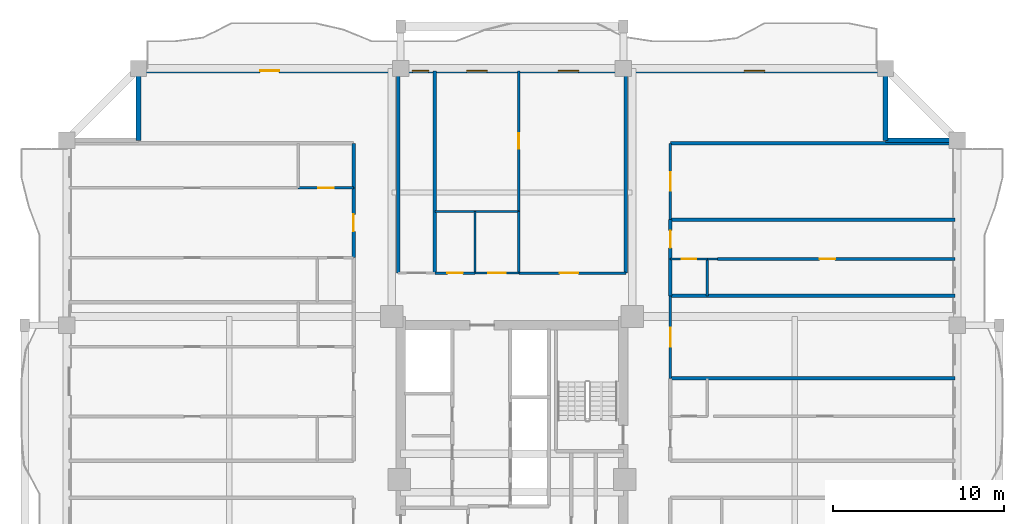
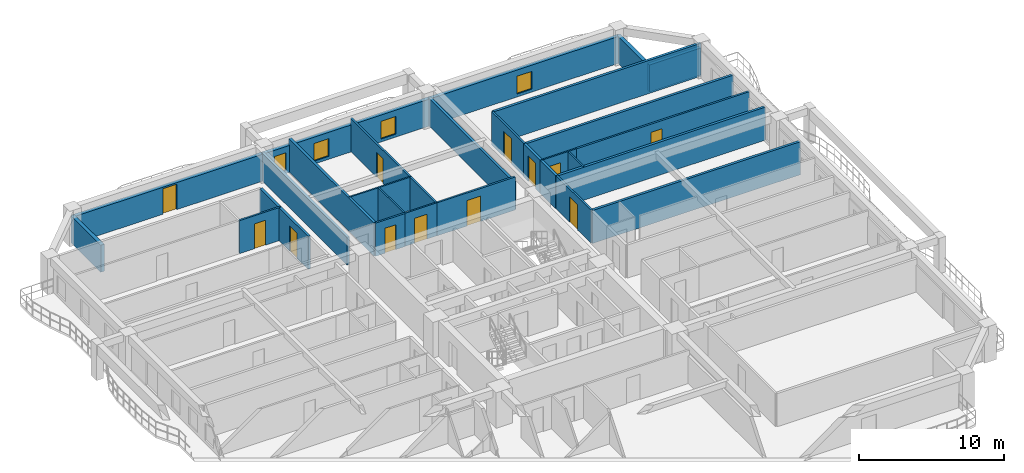
# One storey, part 7 of 13: 29 walls, 12 doors, 4 windows, 16 openings.
"""IFC4 building model written with IfcOpenShell, lengths in metres."""

from ifc_helpers import new_model, si_unit, direction, frame, frame_2d, origin, place, context, subcontext, project, spatial, rectangle, extrude, source, transform, mapped, material, layer, layer_set, type_object, element, fill, save


model = new_model("IFC4")

# Units and contexts
model_context = context("Model", 3, precision=1e-05, world=origin(), true_north=direction((0.0, 1.0)))
body_context = subcontext(model_context, "Body", "Model", "MODEL_VIEW")
ifc_project = project(units=[si_unit("LENGTHUNIT", "METRE"), si_unit("AREAUNIT", "SQUARE_METRE"), si_unit("VOLUMEUNIT", "CUBIC_METRE"), si_unit("PLANEANGLEUNIT", "RADIAN"), si_unit("MASSUNIT", "GRAM", prefix="KILO")], contexts=[model_context])

# Site, building, storey
site_placement = place(None, origin())
site = spatial("IfcSite", under=ifc_project, at=site_placement, CompositionType="ELEMENT")
building_placement = place(site_placement, origin())
building = spatial("IfcBuilding", under=site, at=building_placement, Name="Saelheon Loggia Tower", CompositionType="ELEMENT")
storey_placement = place(building_placement, frame((0.0, 0.0, 132.75)))
storey = spatial("IfcBuildingStorey", under=building, at=storey_placement, Name="L42", CompositionType="ELEMENT", Elevation=132.75)

# Wall, openings, windows, door
ifc_material_1 = material(Name="Architectural Precast Concrete C40/50", Category="concrete")
ifc_layer_1 = layer(ifc_material_1, 0.280029296875)
ifc_layer_set_1 = layer_set([ifc_layer_1], Name="Architectural Precast Concrete C40/50")
wall_type_1 = type_object("IfcWallType", Name="Wall_Ext_Loggia_280", PredefinedType="SOLIDWALL", material=ifc_layer_set_1)
wall_1_placement = place(storey_placement, frame((16.199951171875, 50.860107421875, 0.0), z_axis=(0.0, 0.0, 1.0), x_axis=(1.0, 0.0, 0.0)))
wall_1 = element("IfcWall", 1, at=wall_1_placement, inside=storey, type_object=wall_type_1, Name="L42 North Loggia Inner Wall", PredefinedType="SOLIDWALL", context=body_context, shape_type="SweptSolid", body=[
    extrude(rectangle(XDim=43.60009765625, YDim=0.280029296875, at=frame_2d((21.800048828125, 0.0))), origin(), (0.0, 0.0, 1.0), 2.280029296875),
])
opening_1_placement = place(wall_1_placement, frame((7.10009765625, 0.0, 0.0)))
opening_1 = element("IfcOpeningElement", 2, at=opening_1_placement, cuts=wall_1, Name="Opening TD1", PredefinedType="OPENING", context=body_context, shape_type="SweptSolid", body=[
    extrude(rectangle(XDim=1.10009765625, YDim=2.14990234375, at=frame_2d((0.550048828125, 1.074951171875))), frame((0.0, 0.152099609375, 0.0), z_axis=(0.0, -1.0, 0.0), x_axis=(1.0, 0.0, 0.0)), (0.0, 0.0, 1.0), 0.303955078125),
])
opening_2_placement = place(wall_1_placement, frame((15.982421875, 0.0, 0.25)))
opening_2 = element("IfcOpeningElement", 3, at=opening_2_placement, cuts=wall_1, Name="Opening WN-04", PredefinedType="OPENING", context=body_context, shape_type="SweptSolid", body=[
    extrude(rectangle(XDim=0.949951171875, YDim=1.5, at=frame_2d((0.47509765625, 0.75))), frame((0.0, 0.152099609375, 0.0), z_axis=(0.0, -1.0, 0.0), x_axis=(1.0, 0.0, 0.0)), (0.0, 0.0, 1.0), 0.303955078125),
])
opening_3_placement = place(wall_1_placement, frame((19.14990234375, 0.0, 0.25)))
opening_3 = element("IfcOpeningElement", 4, at=opening_3_placement, cuts=wall_1, Name="Opening WN-03", PredefinedType="OPENING", context=body_context, shape_type="SweptSolid", body=[
    extrude(rectangle(XDim=1.199951171875, YDim=1.5, at=frame_2d((0.60009765625, 0.75))), frame((0.0, 0.152099609375, 0.0), z_axis=(0.0, -1.0, 0.0), x_axis=(1.0, 0.0, 0.0)), (0.0, 0.0, 1.0), 0.303955078125),
])
opening_4_placement = place(wall_1_placement, frame((24.492431640625, 0.0, 0.25)))
opening_4 = element("IfcOpeningElement", 5, at=opening_4_placement, cuts=wall_1, Name="Opening WN-03", PredefinedType="OPENING", context=body_context, shape_type="SweptSolid", body=[
    extrude(rectangle(XDim=1.199951171875, YDim=1.5, at=frame_2d((0.60009765625, 0.75))), frame((0.0, 0.152099609375, 0.0), z_axis=(0.0, -1.0, 0.0), x_axis=(1.0, 0.0, 0.0)), (0.0, 0.0, 1.0), 0.303955078125),
])
opening_5_placement = place(wall_1_placement, frame((35.35009765625, 0.0, 0.25)))
opening_5 = element("IfcOpeningElement", 6, at=opening_5_placement, cuts=wall_1, Name="Opening WN-03", PredefinedType="OPENING", context=body_context, shape_type="SweptSolid", body=[
    extrude(rectangle(XDim=1.199951171875, YDim=1.5, at=frame_2d((0.60009765625, 0.75))), frame((0.0, 0.152099609375, 0.0), z_axis=(0.0, -1.0, 0.0), x_axis=(1.0, 0.0, 0.0)), (0.0, 0.0, 1.0), 0.303955078125),
])
ifc_material_2 = material(Name="Thermal-Break Aluminium and Triple Low-E Glass", Category="aluminium")
window_type_1 = type_object("IfcWindowType", Name="Win_Bedroom_1200x1500", PartitioningType="SINGLE_PANEL", PredefinedType="WINDOW", material=ifc_material_2)
shared_shape_1 = source(origin(), body_context, "Body", "SweptSolid", [
    extrude(rectangle(XDim=1.199951171875, YDim=1.5, at=frame_2d((0.60009765625, 0.75))), frame((0.0, 0.030029296875, 0.0), z_axis=(0.0, -1.0, 0.0), x_axis=(1.0, 0.0, 0.0)), (0.0, 0.0, 1.0), 0.06005859375),
])
window_1_placement = place(opening_3_placement, origin())
window_1 = element("IfcWindow", 7, at=window_1_placement, inside=storey, type_object=window_type_1, Name="L42 N Dwelling Window 3", OverallHeight=1.5, OverallWidth=1.199951171875, PartitioningType="SINGLE_PANEL", PredefinedType="WINDOW", context=body_context, shape_type="MappedRepresentation", body=[
    mapped(shared_shape_1, transform((0.0, 0.0, 0.0), scale=1.0)),
])
fill(opening_3, window_1)
window_2_placement = place(opening_4_placement, origin())
window_2 = element("IfcWindow", 8, at=window_2_placement, inside=storey, type_object=window_type_1, Name="L42 N Dwelling Window 4", OverallHeight=1.5, OverallWidth=1.199951171875, PartitioningType="SINGLE_PANEL", PredefinedType="WINDOW", context=body_context, shape_type="MappedRepresentation", body=[
    mapped(shared_shape_1, transform((0.0, 0.0, 0.0), scale=1.0)),
])
fill(opening_4, window_2)
window_3_placement = place(opening_5_placement, origin())
window_3 = element("IfcWindow", 9, at=window_3_placement, inside=storey, type_object=window_type_1, Name="L42 N Dwelling Window 5", OverallHeight=1.5, OverallWidth=1.199951171875, PartitioningType="SINGLE_PANEL", PredefinedType="WINDOW", context=body_context, shape_type="MappedRepresentation", body=[
    mapped(shared_shape_1, transform((0.0, 0.0, 0.0), scale=1.0)),
])
fill(opening_5, window_3)
ifc_material_3 = material(Name="Thermal-Break Aluminium Glazed Door", Category="aluminium")
door_type_1 = type_object("IfcDoorType", Name="Door_Terrace_TD1", OperationType="NOTDEFINED", PredefinedType="DOOR", material=ifc_material_3)
shared_shape_2 = source(origin(), body_context, "Body", "SweptSolid", [
    extrude(rectangle(XDim=1.10009765625, YDim=2.14990234375, at=frame_2d((0.550048828125, 1.074951171875))), frame((0.0, 0.02490234375, 0.0), z_axis=(0.0, -1.0, 0.0), x_axis=(1.0, 0.0, 0.0)), (0.0, 0.0, 1.0), 0.050048828125),
])
door_1_placement = place(opening_1_placement, origin())
door_1 = element("IfcDoor", 10, at=door_1_placement, inside=storey, type_object=door_type_1, Name="L42 N Loggia Access Door", OperationType="SINGLE_SWING_LEFT", OverallHeight=2.14990234375, OverallWidth=1.10009765625, PredefinedType="DOOR", context=body_context, shape_type="MappedRepresentation", body=[
    mapped(shared_shape_2, transform((0.0, 0.0, 0.0), scale=1.0)),
])
fill(opening_1, door_1)
window_type_2 = type_object("IfcWindowType", Name="Win_Narrow_950x1500", PartitioningType="SINGLE_PANEL", PredefinedType="WINDOW", material=ifc_material_2)
shared_shape_3 = source(origin(), body_context, "Body", "SweptSolid", [
    extrude(rectangle(XDim=0.949951171875, YDim=1.5, at=frame_2d((0.47509765625, 0.75))), frame((0.0, 0.030029296875, 0.0), z_axis=(0.0, -1.0, 0.0), x_axis=(1.0, 0.0, 0.0)), (0.0, 0.0, 1.0), 0.06005859375),
])
window_4_placement = place(opening_2_placement, origin())
window_4 = element("IfcWindow", 11, at=window_4_placement, inside=storey, type_object=window_type_2, Name="L42 N Dwelling Window 2", OverallHeight=1.5, OverallWidth=0.949951171875, PartitioningType="SINGLE_PANEL", PredefinedType="WINDOW", context=body_context, shape_type="MappedRepresentation", body=[
    mapped(shared_shape_3, transform((0.0, 0.0, 0.0), scale=1.0)),
])
fill(opening_2, window_4)

# Walls
for number, where, z_axis, x_axis, name in (
    (12, (16.199951171875, 46.800048828125, 0.0), (0.0, 0.0, 1.0), (0.0, 1.0, 0.0), "L42 Corner Notch Precast Wall NW1"),
    (13, (59.800048828125, 46.800048828125, 0.0), (0.0, 0.0, 1.0), (0.0, 1.0, 0.0), "L42 Corner Notch Precast Wall NE1"),
    (14, (59.800048828125, 46.800048828125, 0.0), (0.0, 0.0, 1.0), (1.0, 0.0, 0.0), "L42 Corner Notch Precast Wall NE2"),
):
    element("IfcWall", number, at=place(storey_placement, frame(where, z_axis=z_axis, x_axis=x_axis)), inside=storey, type_object=wall_type_1, Name=name, PredefinedType="SOLIDWALL", context=body_context, shape_type="SweptSolid", body=[
        extrude(rectangle(XDim=4.119873046875, YDim=0.280029296875, at=frame_2d((2.06005859375, 0.0))), origin(), (0.0, 0.0, 1.0), 2.280029296875),
    ])
ifc_material_4 = material(Name="Lightweight Autoclaved Aerated Concrete Block and Acoustic Gypsum", Category="concrete")
ifc_layer_2 = layer(ifc_material_4, 0.14990234375)
ifc_layer_set_2 = layer_set([ifc_layer_2], Name="Lightweight Autoclaved Aerated Concrete Block and Acoustic Gypsum")
wall_type_2 = type_object("IfcWallType", Name="Wall_Part_150", PredefinedType="PARTITIONING", material=ifc_layer_set_2)
wall_2_placement = place(storey_placement, frame((38.39990234375, 39.050048828125, 0.0), z_axis=(0.0, 0.0, 1.0), x_axis=(0.0, 1.0, 0.0)))
element("IfcWall", 15, at=wall_2_placement, inside=storey, type_object=wall_type_2, Name="L42 N Partition U06", PredefinedType="PARTITIONING", context=body_context, shape_type="SweptSolid", body=[
    extrude(rectangle(XDim=3.599853515625, YDim=0.14990234375, at=frame_2d((1.7998046875, 0.0))), origin(), (0.0, 0.0, 1.0), 2.7900390625),
])

# Wall, opening, door
wall_3_placement = place(storey_placement, frame((38.39990234375, 42.64990234375, 0.0), z_axis=(0.0, 0.0, 1.0), x_axis=(0.0, 1.0, 0.0)))
wall_3 = element("IfcWall", 16, at=wall_3_placement, inside=storey, type_object=wall_type_2, Name="L42 N Partition U07", PredefinedType="PARTITIONING", context=body_context, shape_type="SweptSolid", body=[
    extrude(rectangle(XDim=8.2001953125, YDim=0.14990234375, at=frame_2d((4.10009765625, 0.0))), origin(), (0.0, 0.0, 1.0), 2.7900390625),
])
opening_6_placement = place(wall_3_placement, frame((3.64990234375, 0.0, 0.0)))
opening_6 = element("IfcOpeningElement", 17, at=opening_6_placement, cuts=wall_3, Name="Opening D-IN2", PredefinedType="OPENING", context=body_context, shape_type="SweptSolid", body=[
    extrude(rectangle(XDim=0.89990234375, YDim=2.10009765625, at=frame_2d((0.449951171875, 1.050048828125))), frame((0.0, 0.0869140625, 0.0), z_axis=(0.0, -1.0, 0.0), x_axis=(1.0, 0.0, 0.0)), (0.0, 0.0, 1.0), 0.173828125),
])
ifc_material_5 = material(Name="Engineered Oak Flush Door", Category="timber")
door_type_2 = type_object("IfcDoorType", Name="Door_Int_900", OperationType="NOTDEFINED", PredefinedType="DOOR", material=ifc_material_5)
shared_shape_4 = source(origin(), body_context, "Body", "SweptSolid", [
    extrude(rectangle(XDim=0.89990234375, YDim=2.10009765625, at=frame_2d((0.449951171875, 1.050048828125))), frame((0.0, 0.02490234375, 0.0), z_axis=(0.0, -1.0, 0.0), x_axis=(1.0, 0.0, 0.0)), (0.0, 0.0, 1.0), 0.050048828125),
])
door_2_placement = place(opening_6_placement, origin())
door_2 = element("IfcDoor", 18, at=door_2_placement, inside=storey, type_object=door_type_2, Name="L42 Reading Alcove Door", OperationType="SINGLE_SWING_LEFT", OverallHeight=2.10009765625, OverallWidth=0.89990234375, PredefinedType="DOOR", context=body_context, shape_type="MappedRepresentation", body=[
    mapped(shared_shape_4, transform((0.0, 0.0, 0.0), scale=1.0)),
])
fill(opening_6, door_2)

wall_4_placement = place(storey_placement, frame((33.5, 39.050048828125, 0.0), z_axis=(0.0, 0.0, 1.0), x_axis=(1.0, 0.0, 0.0)))
wall_4 = element("IfcWall", 19, at=wall_4_placement, inside=storey, type_object=wall_type_2, Name="L42 N Partition V09", PredefinedType="PARTITIONING", context=body_context, shape_type="SweptSolid", body=[
    extrude(rectangle(XDim=2.35009765625, YDim=0.14990234375, at=frame_2d((1.175048828125, 0.0))), origin(), (0.0, 0.0, 1.0), 2.7900390625),
])
opening_7_placement = place(wall_4_placement, frame((0.72509765625, 0.0, 0.0)))
opening_7 = element("IfcOpeningElement", 20, at=opening_7_placement, cuts=wall_4, Name="Opening D-IN2", PredefinedType="OPENING", context=body_context, shape_type="SweptSolid", body=[
    extrude(rectangle(XDim=0.89990234375, YDim=2.10009765625, at=frame_2d((0.449951171875, 1.050048828125))), frame((0.0, 0.0869140625, 0.0), z_axis=(0.0, -1.0, 0.0), x_axis=(1.0, 0.0, 0.0)), (0.0, 0.0, 1.0), 0.173828125),
])
door_3_placement = place(opening_7_placement, origin())
door_3 = element("IfcDoor", 21, at=door_3_placement, inside=storey, type_object=door_type_2, Name="L42 Community Pantry Door", OperationType="SINGLE_SWING_RIGHT", OverallHeight=2.10009765625, OverallWidth=0.89990234375, PredefinedType="DOOR", context=body_context, shape_type="MappedRepresentation", body=[
    mapped(shared_shape_4, transform((0.0, 0.0, 0.0), scale=1.0)),
])
fill(opening_7, door_3)

wall_5_placement = place(storey_placement, frame((38.39990234375, 39.050048828125, 0.0), z_axis=(0.0, 0.0, 1.0), x_axis=(1.0, 0.0, 0.0)))
wall_5 = element("IfcWall", 22, at=wall_5_placement, inside=storey, type_object=wall_type_2, Name="L42 N Partition V11", PredefinedType="PARTITIONING", context=body_context, shape_type="SweptSolid", body=[
    extrude(rectangle(XDim=6.25, YDim=0.14990234375, at=frame_2d((3.125, 0.0))), origin(), (0.0, 0.0, 1.0), 2.7900390625),
])
opening_8_placement = place(wall_5_placement, frame((2.382080078125, 0.0, 0.0)))
opening_8 = element("IfcOpeningElement", 23, at=opening_8_placement, cuts=wall_5, Name="Opening D-FD2", PredefinedType="OPENING", context=body_context, shape_type="SweptSolid", body=[
    extrude(rectangle(XDim=1.10009765625, YDim=2.14990234375, at=frame_2d((0.550048828125, 1.074951171875))), frame((0.0, 0.0869140625, 0.0), z_axis=(0.0, -1.0, 0.0), x_axis=(1.0, 0.0, 0.0)), (0.0, 0.0, 1.0), 0.173828125),
])
ifc_material_6 = material(Name="Galvanised Steel Fire Door", Category="steel")
door_type_3 = type_object("IfcDoorType", Name="Door_Fire_FD60_1100", OperationType="NOTDEFINED", PredefinedType="DOOR", material=ifc_material_6)
door_4_placement = place(opening_8_placement, origin())
door_4 = element("IfcDoor", 24, at=door_4_placement, inside=storey, type_object=door_type_3, Name="L42 Community Reading Library Door A", OperationType="SINGLE_SWING_RIGHT", OverallHeight=2.14990234375, OverallWidth=1.10009765625, PredefinedType="DOOR", context=body_context, shape_type="MappedRepresentation", body=[
    mapped(shared_shape_2, transform((0.0, 0.0, 0.0), scale=1.0)),
])
fill(opening_8, door_4)

wall_6_placement = place(storey_placement, frame((28.75, 44.02001953125, 0.0), z_axis=(0.0, 0.0, 1.0), x_axis=(-1.0, 0.0, 0.0)))
wall_6 = element("IfcWall", 25, at=wall_6_placement, inside=storey, type_object=wall_type_2, Name="L42 WN Partition U22", PredefinedType="PARTITIONING", context=body_context, shape_type="SweptSolid", body=[
    extrude(rectangle(XDim=3.239990234375, YDim=0.14990234375, at=frame_2d((1.6201171875, 0.0))), origin(), (0.0, 0.0, 1.0), 2.7900390625),
])
opening_9_placement = place(wall_6_placement, frame((1.169921875, 0.0, 0.0)))
opening_9 = element("IfcOpeningElement", 26, at=opening_9_placement, cuts=wall_6, Name="Opening D-IN2", PredefinedType="OPENING", context=body_context, shape_type="SweptSolid", body=[
    extrude(rectangle(XDim=0.89990234375, YDim=2.10009765625, at=frame_2d((0.449951171875, 1.050048828125))), frame((0.0, 0.0869140625, 0.0), z_axis=(0.0, -1.0, 0.0), x_axis=(1.0, 0.0, 0.0)), (0.0, 0.0, 1.0), 0.173828125),
])
door_5_placement = place(opening_9_placement, origin())
door_5 = element("IfcDoor", 27, at=door_5_placement, inside=storey, type_object=door_type_2, Name="Unit U06 Dressing Closet Door", OperationType="SINGLE_SWING_LEFT", OverallHeight=2.10009765625, OverallWidth=0.89990234375, PredefinedType="DOOR", context=body_context, shape_type="MappedRepresentation", body=[
    mapped(shared_shape_4, transform((0.0, 0.0, 0.0), scale=1.0)),
])
fill(opening_9, door_5)

wall_7_placement = place(storey_placement, frame((47.25, 32.900390625, 0.0), z_axis=(0.0, 0.0, 1.0), x_axis=(0.0, 1.0, 0.0)))
wall_7 = element("IfcWall", 28, at=wall_7_placement, inside=storey, type_object=wall_type_2, Name="L42 EN Partition V09", PredefinedType="PARTITIONING", context=body_context, shape_type="SweptSolid", body=[
    extrude(rectangle(XDim=4.8203125, YDim=0.14990234375, at=frame_2d((2.41015625, 0.0))), origin(), (0.0, 0.0, 1.0), 2.7900390625),
])
opening_10_placement = place(wall_7_placement, frame((1.860107421875, 0.0, 0.0)))
opening_10 = element("IfcOpeningElement", 29, at=opening_10_placement, cuts=wall_7, Name="Opening D-FD2", PredefinedType="OPENING", context=body_context, shape_type="SweptSolid", body=[
    extrude(rectangle(XDim=1.10009765625, YDim=2.14990234375, at=frame_2d((0.550048828125, 1.074951171875))), frame((0.0, 0.0869140625, 0.0), z_axis=(0.0, -1.0, 0.0), x_axis=(1.0, 0.0, 0.0)), (0.0, 0.0, 1.0), 0.173828125),
])
door_6_placement = place(opening_10_placement, origin())
door_6 = element("IfcDoor", 30, at=door_6_placement, inside=storey, type_object=door_type_3, Name="L42 Resident Seminar and Study Hall Door A", OperationType="SINGLE_SWING_RIGHT", OverallHeight=2.14990234375, OverallWidth=1.10009765625, PredefinedType="DOOR", context=body_context, shape_type="MappedRepresentation", body=[
    mapped(shared_shape_2, transform((0.0, 0.0, 0.0), scale=1.0)),
])
fill(opening_10, door_6)

wall_8_placement = place(storey_placement, frame((50.010009765625, 39.870849609375, 0.0), z_axis=(0.0, 0.0, 1.0), x_axis=(1.0, 0.0, 0.0)))
wall_8 = element("IfcWall", 31, at=wall_8_placement, inside=storey, type_object=wall_type_2, Name="L42 EN Partition U16", PredefinedType="PARTITIONING", context=body_context, shape_type="SweptSolid", body=[
    extrude(rectangle(XDim=13.840087890625, YDim=0.14990234375, at=frame_2d((6.919921875, 0.0))), origin(), (0.0, 0.0, 1.0), 2.7900390625),
])
opening_11_placement = place(wall_8_placement, frame((5.95068359375, 0.0, 0.0)))
opening_11 = element("IfcOpeningElement", 32, at=opening_11_placement, cuts=wall_8, Name="Opening D-IN2", PredefinedType="OPENING", context=body_context, shape_type="SweptSolid", body=[
    extrude(rectangle(XDim=0.89990234375, YDim=2.10009765625, at=frame_2d((0.449951171875, 1.050048828125))), frame((0.0, 0.0869140625, 0.0), z_axis=(0.0, -1.0, 0.0), x_axis=(1.0, 0.0, 0.0)), (0.0, 0.0, 1.0), 0.173828125),
])
door_7_placement = place(opening_11_placement, origin())
door_7 = element("IfcDoor", 33, at=door_7_placement, inside=storey, type_object=door_type_2, Name="Unit U09 Kitchen Door", OperationType="SINGLE_SWING_LEFT", OverallHeight=2.10009765625, OverallWidth=0.89990234375, PredefinedType="DOOR", context=body_context, shape_type="MappedRepresentation", body=[
    mapped(shared_shape_4, transform((0.0, 0.0, 0.0), scale=1.0)),
])
fill(opening_11, door_7)

wall_9_placement = place(storey_placement, frame((47.25, 42.17041015625, 0.0), z_axis=(0.0, 0.0, 1.0), x_axis=(0.0, 1.0, 0.0)))
wall_9 = element("IfcWall", 34, at=wall_9_placement, inside=storey, type_object=wall_type_2, Name="L42 EN Partition V18", PredefinedType="PARTITIONING", context=body_context, shape_type="SweptSolid", body=[
    extrude(rectangle(XDim=4.44970703125, YDim=0.14990234375, at=frame_2d((2.224853515625, 0.0))), origin(), (0.0, 0.0, 1.0), 2.7900390625),
])
opening_12_placement = place(wall_9_placement, frame((1.6748046875, 0.0, 0.0)))
opening_12 = element("IfcOpeningElement", 35, at=opening_12_placement, cuts=wall_9, Name="Opening D-FD2", PredefinedType="OPENING", context=body_context, shape_type="SweptSolid", body=[
    extrude(rectangle(XDim=1.10009765625, YDim=2.14990234375, at=frame_2d((0.550048828125, 1.074951171875))), frame((0.0, 0.0869140625, 0.0), z_axis=(0.0, -1.0, 0.0), x_axis=(1.0, 0.0, 0.0)), (0.0, 0.0, 1.0), 0.173828125),
])
door_8_placement = place(opening_12_placement, origin())
door_8 = element("IfcDoor", 36, at=door_8_placement, inside=storey, type_object=door_type_3, Name="L42 Resident Seminar and Study Hall Door A", OperationType="SINGLE_SWING_RIGHT", OverallHeight=2.14990234375, OverallWidth=1.10009765625, PredefinedType="DOOR", context=body_context, shape_type="MappedRepresentation", body=[
    mapped(shared_shape_2, transform((0.0, 0.0, 0.0), scale=1.0)),
])
fill(opening_12, door_8)

# Walls
ifc_material_7 = material(Name="Double Acoustic Stud and Fireboard Partition", Category="gypsum")
ifc_layer_3 = layer(ifc_material_7, 0.199951171875)
ifc_layer_set_3 = layer_set([ifc_layer_3], Name="Double Acoustic Stud and Fireboard Partition")
wall_type_3 = type_object("IfcWallType", Name="Wall_Party_200", PredefinedType="PARTITIONING", material=ifc_layer_set_3)
for number, where, z_axis, x_axis, name in (
    (37, (31.35009765625, 39.050048828125, 0.0), (0.0, 0.0, 1.0), (0.0, 1.0, 0.0), "L42 N Partition U01"),
    (38, (44.64990234375, 39.050048828125, 0.0), (0.0, 0.0, 1.0), (0.0, 1.0, 0.0), "L42 N Partition U02"),
):
    element("IfcWall", number, at=place(storey_placement, frame(where, z_axis=z_axis, x_axis=x_axis)), inside=storey, type_object=wall_type_3, Name=name, PredefinedType="PARTITIONING", context=body_context, shape_type="SweptSolid", body=[
        extrude(rectangle(XDim=11.800048828125, YDim=0.199951171875, at=frame_2d((5.89990234375, 0.0))), origin(), (0.0, 0.0, 1.0), 2.340087890625),
    ])
wall_10_placement = place(storey_placement, frame((33.5, 39.050048828125, 0.0), z_axis=(0.0, 0.0, 1.0), x_axis=(0.0, 1.0, 0.0)))
element("IfcWall", 39, at=wall_10_placement, inside=storey, type_object=wall_type_3, Name="L42 N Partition U03", PredefinedType="PARTITIONING", context=body_context, shape_type="SweptSolid", body=[
    extrude(rectangle(XDim=11.800048828125, YDim=0.199951171875, at=frame_2d((5.89990234375, 0.0))), origin(), (0.0, 0.0, 1.0), 2.7900390625),
])

# Wall, opening, door
wall_11_placement = place(storey_placement, frame((28.75, 39.945556640625, 0.0), z_axis=(0.0, 0.0, 1.0), x_axis=(0.0, 1.0, 0.0)))
wall_11 = element("IfcWall", 40, at=wall_11_placement, inside=storey, type_object=wall_type_3, Name="L42 WN Partition V15", PredefinedType="PARTITIONING", context=body_context, shape_type="SweptSolid", body=[
    extrude(rectangle(XDim=4.074462890625, YDim=0.199951171875, at=frame_2d((2.037109375, 0.0))), origin(), (0.0, 0.0, 1.0), 2.7900390625),
])
opening_13_placement = place(wall_11_placement, frame((1.537109375, 0.0, 0.0)))
opening_13 = element("IfcOpeningElement", 41, at=opening_13_placement, cuts=wall_11, Name="Opening D-FD1", PredefinedType="OPENING", context=body_context, shape_type="SweptSolid", body=[
    extrude(rectangle(XDim=1.0, YDim=2.14990234375, at=frame_2d((0.5, 1.074951171875))), frame((0.0, 0.112060546875, 0.0), z_axis=(0.0, -1.0, 0.0), x_axis=(1.0, 0.0, 0.0)), (0.0, 0.0, 1.0), 0.223876953125),
])
ifc_material_8 = material(Name="Fire-Rated Engineered Timber Entrance Door", Category="wood")
door_type_4 = type_object("IfcDoorType", Name="Door_Flat_FD30S", OperationType="NOTDEFINED", PredefinedType="DOOR", material=ifc_material_8)
shared_shape_5 = source(origin(), body_context, "Body", "SweptSolid", [
    extrude(rectangle(XDim=1.0, YDim=2.14990234375, at=frame_2d((0.5, 1.074951171875))), frame((0.0, 0.02490234375, 0.0), z_axis=(0.0, -1.0, 0.0), x_axis=(1.0, 0.0, 0.0)), (0.0, 0.0, 1.0), 0.050048828125),
])
door_9_placement = place(opening_13_placement, origin())
door_9 = element("IfcDoor", 42, at=door_9_placement, inside=storey, type_object=door_type_4, Name="Unit U06 Entrance Door", OperationType="SINGLE_SWING_RIGHT", OverallHeight=2.14990234375, OverallWidth=1.0, PredefinedType="DOOR", context=body_context, shape_type="MappedRepresentation", body=[
    mapped(shared_shape_5, transform((0.0, 0.0, 0.0), scale=1.0)),
])
fill(opening_13, door_9)

# Walls
wall_12_placement = place(storey_placement, frame((28.75, 44.02001953125, 0.0), z_axis=(0.0, 0.0, 1.0), x_axis=(0.0, 1.0, 0.0)))
element("IfcWall", 43, at=wall_12_placement, inside=storey, type_object=wall_type_3, Name="L42 WN Partition V16", PredefinedType="PARTITIONING", context=body_context, shape_type="SweptSolid", body=[
    extrude(rectangle(XDim=2.60009765625, YDim=0.199951171875, at=frame_2d((1.300048828125, 0.0))), origin(), (0.0, 0.0, 1.0), 2.7900390625),
])
for number, where, z_axis, x_axis, name in (
    (44, (47.25, 46.6201171875, 0.0), (0.0, 0.0, 1.0), (1.0, 0.0, 0.0), "L42 EN Partition U02"),
    (45, (47.25, 32.900390625, 0.0), (0.0, 0.0, 1.0), (1.0, 0.0, 0.0), "L42 EN Partition U08"),
    (46, (47.25, 37.720703125, 0.0), (0.0, 0.0, 1.0), (1.0, 0.0, 0.0), "L42 EN Partition U10"),
):
    element("IfcWall", number, at=place(storey_placement, frame(where, z_axis=z_axis, x_axis=x_axis)), inside=storey, type_object=wall_type_3, Name=name, PredefinedType="PARTITIONING", context=body_context, shape_type="SweptSolid", body=[
        extrude(rectangle(XDim=16.60009765625, YDim=0.199951171875, at=frame_2d((8.300048828125, 0.0))), origin(), (0.0, 0.0, 1.0), 2.7900390625),
    ])
wall_13_placement = place(storey_placement, frame((47.25, 37.720703125, 0.0), z_axis=(0.0, 0.0, 1.0), x_axis=(0.0, 1.0, 0.0)))
element("IfcWall", 47, at=wall_13_placement, inside=storey, type_object=wall_type_3, Name="L42 EN Partition V11", PredefinedType="PARTITIONING", context=body_context, shape_type="SweptSolid", body=[
    extrude(rectangle(XDim=2.150146484375, YDim=0.199951171875, at=frame_2d((1.0751953125, 0.0))), origin(), (0.0, 0.0, 1.0), 2.7900390625),
])

# Wall, opening, door
wall_14_placement = place(storey_placement, frame((47.25, 39.870849609375, 0.0), z_axis=(0.0, 0.0, 1.0), x_axis=(0.0, 1.0, 0.0)))
wall_14 = element("IfcWall", 48, at=wall_14_placement, inside=storey, type_object=wall_type_3, Name="L42 EN Partition V12", PredefinedType="PARTITIONING", context=body_context, shape_type="SweptSolid", body=[
    extrude(rectangle(XDim=2.299560546875, YDim=0.199951171875, at=frame_2d((1.14990234375, 0.0))), origin(), (0.0, 0.0, 1.0), 2.7900390625),
])
opening_14_placement = place(wall_14_placement, frame((0.64990234375, 0.0, 0.0)))
opening_14 = element("IfcOpeningElement", 49, at=opening_14_placement, cuts=wall_14, Name="Opening D-FD1", PredefinedType="OPENING", context=body_context, shape_type="SweptSolid", body=[
    extrude(rectangle(XDim=1.0, YDim=2.14990234375, at=frame_2d((0.5, 1.074951171875))), frame((0.0, 0.112060546875, 0.0), z_axis=(0.0, -1.0, 0.0), x_axis=(1.0, 0.0, 0.0)), (0.0, 0.0, 1.0), 0.223876953125),
])
door_10_placement = place(opening_14_placement, origin())
door_10 = element("IfcDoor", 50, at=door_10_placement, inside=storey, type_object=door_type_4, Name="Unit U09 Entrance Door", OperationType="SINGLE_SWING_LEFT", OverallHeight=2.14990234375, OverallWidth=1.0, PredefinedType="DOOR", context=body_context, shape_type="MappedRepresentation", body=[
    mapped(shared_shape_5, transform((0.0, 0.0, 0.0), scale=1.0)),
])
fill(opening_14, door_10)

# Walls
wall_15_placement = place(storey_placement, frame((47.25, 42.17041015625, 0.0), z_axis=(0.0, 0.0, 1.0), x_axis=(1.0, 0.0, 0.0)))
element("IfcWall", 51, at=wall_15_placement, inside=storey, type_object=wall_type_3, Name="L42 EN Partition U17", PredefinedType="PARTITIONING", context=body_context, shape_type="SweptSolid", body=[
    extrude(rectangle(XDim=16.60009765625, YDim=0.199951171875, at=frame_2d((8.300048828125, 0.0))), origin(), (0.0, 0.0, 1.0), 2.7900390625),
])
ifc_material_9 = material(Name="Moisture-Resistant Cement Board Partition", Category="gypsum")
ifc_layer_4 = layer(ifc_material_9, 0.1201171875)
ifc_layer_set_4 = layer_set([ifc_layer_4], Name="Moisture-Resistant Cement Board Partition")
wall_type_4 = type_object("IfcWallType", Name="Wall_WetPart_120", PredefinedType="PARTITIONING", material=ifc_layer_set_4)
wall_16_placement = place(storey_placement, frame((35.85009765625, 39.050048828125, 0.0), z_axis=(0.0, 0.0, 1.0), x_axis=(0.0, 1.0, 0.0)))
element("IfcWall", 52, at=wall_16_placement, inside=storey, type_object=wall_type_4, Name="L42 N Partition U05", PredefinedType="PARTITIONING", context=body_context, shape_type="SweptSolid", body=[
    extrude(rectangle(XDim=3.599853515625, YDim=0.1201171875, at=frame_2d((1.7998046875, 0.0))), origin(), (0.0, 0.0, 1.0), 2.7900390625),
])
wall_17_placement = place(storey_placement, frame((33.5, 42.64990234375, 0.0), z_axis=(0.0, 0.0, 1.0), x_axis=(1.0, 0.0, 0.0)))
element("IfcWall", 53, at=wall_17_placement, inside=storey, type_object=wall_type_4, Name="L42 N Partition V08", PredefinedType="PARTITIONING", context=body_context, shape_type="SweptSolid", body=[
    extrude(rectangle(XDim=4.89990234375, YDim=0.1201171875, at=frame_2d((2.449951171875, 0.0))), origin(), (0.0, 0.0, 1.0), 2.7900390625),
])

# Wall, opening, door
wall_18_placement = place(storey_placement, frame((35.85009765625, 39.050048828125, 0.0), z_axis=(0.0, 0.0, 1.0), x_axis=(1.0, 0.0, 0.0)))
wall_18 = element("IfcWall", 54, at=wall_18_placement, inside=storey, type_object=wall_type_4, Name="L42 N Partition V10", PredefinedType="PARTITIONING", context=body_context, shape_type="SweptSolid", body=[
    extrude(rectangle(XDim=2.5498046875, YDim=0.1201171875, at=frame_2d((1.27490234375, 0.0))), origin(), (0.0, 0.0, 1.0), 2.7900390625),
])
opening_15_placement = place(wall_18_placement, frame((0.77490234375, 0.0, 0.0)))
opening_15 = element("IfcOpeningElement", 55, at=opening_15_placement, cuts=wall_18, Name="Opening D-AC1", PredefinedType="OPENING", context=body_context, shape_type="SweptSolid", body=[
    extrude(rectangle(XDim=1.0, YDim=2.10009765625, at=frame_2d((0.5, 1.050048828125))), frame((0.0, 0.072021484375, 0.0), z_axis=(0.0, -1.0, 0.0), x_axis=(1.0, 0.0, 0.0)), (0.0, 0.0, 1.0), 0.14404296875),
])
ifc_material_10 = material(Name="Accessible Laminate Flush Door", Category="timber")
door_type_5 = type_object("IfcDoorType", Name="Door_Acc_1000", OperationType="NOTDEFINED", PredefinedType="DOOR", material=ifc_material_10)
shared_shape_6 = source(origin(), body_context, "Body", "SweptSolid", [
    extrude(rectangle(XDim=1.0, YDim=2.10009765625, at=frame_2d((0.5, 1.050048828125))), frame((0.0, 0.02490234375, 0.0), z_axis=(0.0, -1.0, 0.0), x_axis=(1.0, 0.0, 0.0)), (0.0, 0.0, 1.0), 0.050048828125),
])
door_11_placement = place(opening_15_placement, origin())
door_11 = element("IfcDoor", 56, at=door_11_placement, inside=storey, type_object=door_type_5, Name="L42 Common Washroom Door", OperationType="SINGLE_SWING_LEFT", OverallHeight=2.10009765625, OverallWidth=1.0, PredefinedType="DOOR", context=body_context, shape_type="MappedRepresentation", body=[
    mapped(shared_shape_6, transform((0.0, 0.0, 0.0), scale=1.0)),
])
fill(opening_15, door_11)

wall_19_placement = place(storey_placement, frame((47.25, 39.870849609375, 0.0), z_axis=(0.0, 0.0, 1.0), x_axis=(1.0, 0.0, 0.0)))
wall_19 = element("IfcWall", 57, at=wall_19_placement, inside=storey, type_object=wall_type_4, Name="L42 EN Partition U13", PredefinedType="PARTITIONING", context=body_context, shape_type="SweptSolid", body=[
    extrude(rectangle(XDim=2.14990234375, YDim=0.1201171875, at=frame_2d((1.074951171875, 0.0))), origin(), (0.0, 0.0, 1.0), 2.7900390625),
])
opening_16_placement = place(wall_19_placement, frame((0.64990234375, 0.0, 0.0)))
opening_16 = element("IfcOpeningElement", 58, at=opening_16_placement, cuts=wall_19, Name="Opening D-BT1", PredefinedType="OPENING", context=body_context, shape_type="SweptSolid", body=[
    extrude(rectangle(XDim=0.85009765625, YDim=2.050048828125, at=frame_2d((0.425048828125, 1.02490234375))), frame((0.0, 0.072021484375, 0.0), z_axis=(0.0, -1.0, 0.0), x_axis=(1.0, 0.0, 0.0)), (0.0, 0.0, 1.0), 0.14404296875),
])
ifc_material_11 = material(Name="Moisture-Resistant Laminate Timber Door", Category="wood")
door_type_6 = type_object("IfcDoorType", Name="Door_Bath_850", OperationType="NOTDEFINED", PredefinedType="DOOR", material=ifc_material_11)
shared_shape_7 = source(origin(), body_context, "Body", "SweptSolid", [
    extrude(rectangle(XDim=0.85009765625, YDim=2.050048828125, at=frame_2d((0.425048828125, 1.02490234375))), frame((0.0, 0.02490234375, 0.0), z_axis=(0.0, -1.0, 0.0), x_axis=(1.0, 0.0, 0.0)), (0.0, 0.0, 1.0), 0.050048828125),
])
door_12_placement = place(opening_16_placement, origin())
door_12 = element("IfcDoor", 59, at=door_12_placement, inside=storey, type_object=door_type_6, Name="Unit U09 Bathroom Door", OperationType="SINGLE_SWING_RIGHT", OverallHeight=2.050048828125, OverallWidth=0.85009765625, PredefinedType="DOOR", context=body_context, shape_type="MappedRepresentation", body=[
    mapped(shared_shape_7, transform((0.0, 0.0, 0.0), scale=1.0)),
])
fill(opening_16, door_12)

# Walls
wall_20_placement = place(storey_placement, frame((49.39990234375, 39.870849609375, 0.0), z_axis=(0.0, 0.0, 1.0), x_axis=(1.0, 0.0, 0.0)))
element("IfcWall", 60, at=wall_20_placement, inside=storey, type_object=wall_type_4, Name="L42 EN Partition U14", PredefinedType="PARTITIONING", context=body_context, shape_type="SweptSolid", body=[
    extrude(rectangle(XDim=0.610107421875, YDim=0.1201171875, at=frame_2d((0.30517578125, 0.0))), origin(), (0.0, 0.0, 1.0), 2.7900390625),
])
wall_21_placement = place(storey_placement, frame((49.39990234375, 37.720703125, 0.0), z_axis=(0.0, 0.0, 1.0), x_axis=(0.0, 1.0, 0.0)))
element("IfcWall", 61, at=wall_21_placement, inside=storey, type_object=wall_type_4, Name="L42 EN Partition V15", PredefinedType="PARTITIONING", context=body_context, shape_type="SweptSolid", body=[
    extrude(rectangle(XDim=2.150146484375, YDim=0.1201171875, at=frame_2d((1.0751953125, 0.0))), origin(), (0.0, 0.0, 1.0), 2.7900390625),
])

save(model, "model.ifc")
